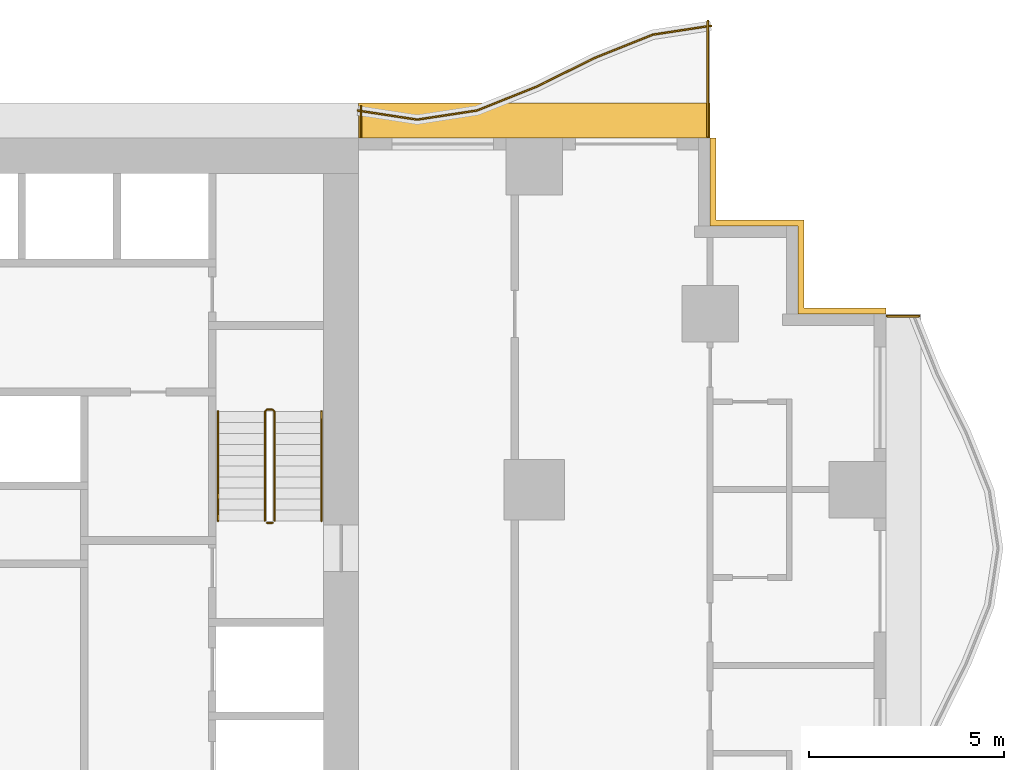
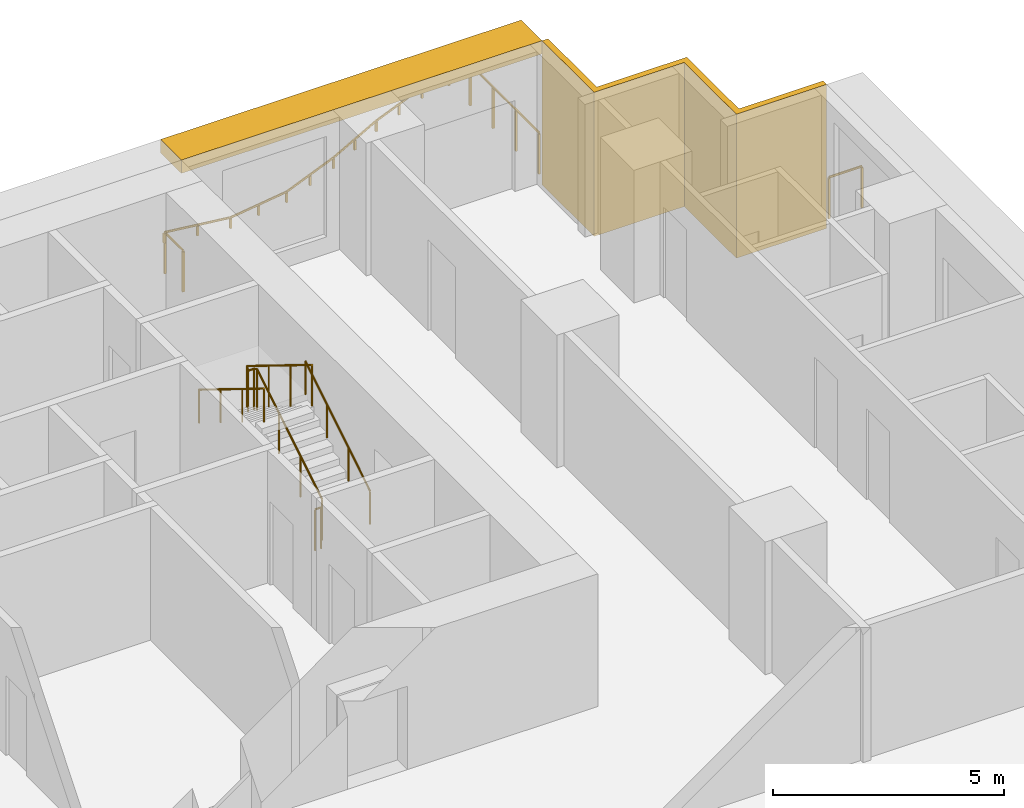
# One storey, part 14 of 14: 8 railings, 2 shading devices.
"""IFC4 building model written with IfcOpenShell, lengths in metres."""

from ifc_helpers import new_model, si_unit, direction, frame, origin, origin_2d, place, context, subcontext, project, spatial, polyline, rectangle, circle, outline, extrude, material, layer, layer_set, type_object, element, save


model = new_model("IFC4")

# Units and contexts
model_context = context("Model", 3, precision=1e-05, world=origin(), true_north=direction((0.0, 1.0)))
body_context = subcontext(model_context, "Body", "Model", "MODEL_VIEW")
ifc_project = project(units=[si_unit("LENGTHUNIT", "METRE"), si_unit("AREAUNIT", "SQUARE_METRE"), si_unit("VOLUMEUNIT", "CUBIC_METRE"), si_unit("PLANEANGLEUNIT", "RADIAN"), si_unit("MASSUNIT", "GRAM", prefix="KILO")], contexts=[model_context])

# Site, building, storey
site_placement = place(None, origin())
site = spatial("IfcSite", under=ifc_project, at=site_placement, CompositionType="ELEMENT")
building_placement = place(site_placement, origin())
building = spatial("IfcBuilding", under=site, at=building_placement, Name="Orbiselva Terraces", CompositionType="ELEMENT")
storey_placement = place(building_placement, frame((0.0, 0.0, 22.6)))
storey = spatial("IfcBuildingStorey", under=building, at=storey_placement, Name="L05", CompositionType="ELEMENT", Elevation=22.6)

# Railings
ifc_material_1 = material(Name="Stainless steel", Category="steel")
railing_type_1 = type_object("IfcRailingType", Name="CORE-GUARD-1100", PredefinedType="GUARDRAIL", material=ifc_material_1)
railing_1_placement = place(storey_placement, frame((11.35, 12.7, 0.172727)))
element("IfcRailing", 1, at=railing_1_placement, inside=storey, type_object=railing_type_1, Name="L05 S2 stair guard 1", PredefinedType="GUARDRAIL", context=body_context, shape_type="SweptSolid", body=[
    extrude(circle(Radius=0.024, at=origin_2d()), frame((0.0, 0.0, 1.081), z_axis=(0.0, 0.851088519012, 0.52502222125), x_axis=(-1.0, 0.0, 0.0)), (0.0, 0.0, 1.0), 3.289905),
    extrude(circle(Radius=0.024, at=origin_2d()), frame((0.0, 2.8, 2.808273), z_axis=(-0.707106781187, 0.707106781187, 0.0), x_axis=(-0.707106781187, -0.707106781187, 0.0)), (0.0, 0.0, 1.0), 0.070711),
    extrude(circle(Radius=0.024, at=origin_2d()), frame((-0.05, 2.85, 2.808273), z_axis=(-1.0, 0.0, 0.0), x_axis=(0.0, -1.0, 0.0)), (0.0, 0.0, 1.0), 0.15),
    extrude(circle(Radius=0.024, at=origin_2d()), frame((-0.2, 2.85, 2.808273), z_axis=(-0.267894925557, -0.267894925557, 0.925453736133), x_axis=(0.707106781187, -0.707106781187, 0.0)), (0.0, 0.0, 1.0), 0.18664),
    extrude(circle(Radius=0.024, at=origin_2d()), frame((-0.25, 2.8, 2.981), z_axis=(0.0, -0.851088519012, 0.52502222125), x_axis=(1.0, 0.0, 0.0)), (0.0, 0.0, 1.0), 3.289905),
    extrude(circle(Radius=0.021, at=origin_2d()), origin(), (0.0, 0.0, 1.0), 1.057),
    extrude(circle(Radius=0.021, at=origin_2d()), frame((0.0, 0.933333, 0.575758)), (0.0, 0.0, 1.0), 1.057),
    extrude(circle(Radius=0.021, at=origin_2d()), frame((0.0, 1.866667, 1.151515)), (0.0, 0.0, 1.0), 1.057),
    extrude(circle(Radius=0.021, at=origin_2d()), frame((0.0, 2.8, 1.727273)), (0.0, 0.0, 1.0), 1.057),
    extrude(circle(Radius=0.021, at=origin_2d()), frame((-0.05, 2.85, 1.727273)), (0.0, 0.0, 1.0), 1.057),
    extrude(circle(Radius=0.021, at=origin_2d()), frame((-0.2, 2.85, 1.727273)), (0.0, 0.0, 1.0), 1.057),
    extrude(circle(Radius=0.021, at=origin_2d()), frame((-0.25, 2.8, 1.9)), (0.0, 0.0, 1.0), 1.057),
    extrude(circle(Radius=0.021, at=origin_2d()), frame((-0.25, 1.866667, 2.475758)), (0.0, 0.0, 1.0), 1.057),
    extrude(circle(Radius=0.021, at=origin_2d()), frame((-0.25, 0.933333, 3.051515)), (0.0, 0.0, 1.0), 1.057),
    extrude(circle(Radius=0.021, at=origin_2d()), frame((-0.25, 0.0, 3.627273)), (0.0, 0.0, 1.0), 1.057),
])
railing_2_placement = place(storey_placement, frame((11.3, 12.65, 0.0)))
element("IfcRailing", 2, at=railing_2_placement, inside=storey, type_object=railing_type_1, Name="L05 S2 stair guard 2", PredefinedType="GUARDRAIL", context=body_context, shape_type="SweptSolid", body=[
    extrude(circle(Radius=0.024, at=origin_2d()), frame((0.0, 0.0, 1.081), z_axis=(-1.0, 0.0, 0.0), x_axis=(0.0, -1.0, 0.0)), (0.0, 0.0, 1.0), 0.15),
    extrude(circle(Radius=0.021, at=origin_2d()), origin(), (0.0, 0.0, 1.0), 1.057),
    extrude(circle(Radius=0.021, at=origin_2d()), frame((-0.15, 0.0, 0.0)), (0.0, 0.0, 1.0), 1.057),
])
railing_type_2 = type_object("IfcRailingType", Name="CORE-HANDRAIL-900", PredefinedType="HANDRAIL", material=ifc_material_1)
railing_3_placement = place(storey_placement, frame((12.55, 12.7, 0.172727)))
element("IfcRailing", 3, at=railing_3_placement, inside=storey, type_object=railing_type_2, Name="L05 S2 stair handrail 1", PredefinedType="HANDRAIL", context=body_context, shape_type="SweptSolid", body=[
    extrude(circle(Radius=0.024, at=origin_2d()), frame((0.0, 0.0, 0.876), z_axis=(0.0, 0.851088519012, 0.52502222125), x_axis=(-1.0, 0.0, 0.0)), (0.0, 0.0, 1.0), 3.289905),
    extrude(circle(Radius=0.021, at=origin_2d()), origin(), (0.0, 0.0, 1.0), 0.852),
    extrude(circle(Radius=0.021, at=origin_2d()), frame((0.0, 0.933333, 0.575758)), (0.0, 0.0, 1.0), 0.852),
    extrude(circle(Radius=0.021, at=origin_2d()), frame((0.0, 1.866667, 1.151515)), (0.0, 0.0, 1.0), 0.852),
    extrude(circle(Radius=0.021, at=origin_2d()), frame((0.0, 2.8, 1.727273)), (0.0, 0.0, 1.0), 0.852),
])
railing_4_placement = place(storey_placement, frame((9.9, 15.5, 2.072727)))
element("IfcRailing", 4, at=railing_4_placement, inside=storey, type_object=railing_type_2, Name="L05 S2 stair handrail 2", PredefinedType="HANDRAIL", context=body_context, shape_type="SweptSolid", body=[
    extrude(circle(Radius=0.024, at=origin_2d()), frame((0.0, 0.0, 0.876), z_axis=(0.0, -0.851088519012, 0.52502222125), x_axis=(1.0, 0.0, 0.0)), (0.0, 0.0, 1.0), 3.289905),
    extrude(circle(Radius=0.021, at=origin_2d()), origin(), (0.0, 0.0, 1.0), 0.852),
    extrude(circle(Radius=0.021, at=origin_2d()), frame((0.0, -0.933333, 0.575758)), (0.0, 0.0, 1.0), 0.852),
    extrude(circle(Radius=0.021, at=origin_2d()), frame((0.0, -1.866667, 1.151515)), (0.0, 0.0, 1.0), 0.852),
    extrude(circle(Radius=0.021, at=origin_2d()), frame((0.0, -2.8, 1.727273)), (0.0, 0.0, 1.0), 0.852),
])
ifc_material_2 = material(Name="Bonded two-ply safety glass balustrade, stainless steel posts", Category="steel")
railing_type_3 = type_object("IfcRailingType", Name="ENV-BALUSTRADE-1200", PredefinedType="BALUSTRADE", material=ifc_material_2)
railing_5_placement = place(storey_placement, frame((22.518879, 25.376434, 0.9)))
element("IfcRailing", 5, at=railing_5_placement, inside=storey, type_object=railing_type_3, Name="Balcony balustrade L05 NE", PredefinedType="BALUSTRADE", context=body_context, shape_type="SweptSolid", body=[
    extrude(outline(polyline([(0.028868, 0.0), (0.014434, 0.025), (-0.014434, 0.025), (-0.028868, 0.0), (-0.014434, -0.025), (0.014434, -0.025), (0.028868, 0.0)])), frame((0.0, 0.0, 0.275), z_axis=(-0.988528552748, -0.151034103443, 0.0), x_axis=(0.151034103443, -0.988528552748, 0.0)), (0.0, 0.0, 1.0), 1.503038),
    extrude(outline(polyline([(0.028868, 0.0), (0.014434, 0.025), (-0.014434, 0.025), (-0.028868, 0.0), (-0.014434, -0.025), (0.014434, -0.025), (0.028868, 0.0)])), frame((-1.485796, -0.22701, 0.275), z_axis=(-0.928476561272, -0.371391000387, 0.0), x_axis=(0.371391000387, -0.928476561272, 0.0)), (0.0, 0.0, 1.0), 1.596261),
    extrude(outline(polyline([(0.028868, 0.0), (0.014434, 0.025), (-0.014434, 0.025), (-0.028868, 0.0), (-0.014434, -0.025), (0.014434, -0.025), (0.028868, 0.0)])), frame((-2.967887, -0.819847, 0.275), z_axis=(-0.896416672454, -0.443212307306, 0.0), x_axis=(0.443212307306, -0.896416672454, 0.0)), (0.0, 0.0, 1.0), 1.673329),
    extrude(outline(polyline([(0.028868, 0.0), (0.014434, 0.025), (-0.014434, 0.025), (-0.028868, 0.0), (-0.014434, -0.025), (0.014434, -0.025), (0.028868, 0.0)])), frame((-4.467887, -1.561487, 0.275), z_axis=(-0.92847681744, -0.371390359967, 0.0), x_axis=(0.371390359967, -0.92847681744, 0.0)), (0.0, 0.0, 1.0), 1.634838),
    extrude(outline(polyline([(0.028868, 0.0), (0.014434, 0.025), (-0.014434, 0.025), (-0.028868, 0.0), (-0.014434, -0.025), (0.014434, -0.025), (0.028868, 0.0)])), frame((-5.985796, -2.16865, 0.275), z_axis=(-0.988528536275, -0.151034211256, 0.0), x_axis=(0.151034211256, -0.988528536275, 0.0)), (0.0, 0.0, 1.0), 1.550874),
    extrude(outline(polyline([(0.028868, 0.0), (0.014434, 0.025), (-0.014434, 0.025), (-0.028868, 0.0), (-0.014434, -0.025), (0.014434, -0.025), (0.028868, 0.0)])), frame((-7.518879, -2.402885, 0.275), z_axis=(-0.988528518286, 0.151034328999, 0.0), x_axis=(-0.151034328999, -0.988528518286, 0.0)), (0.0, 0.0, 1.0), 1.536505),
    extrude(rectangle(XDim=0.05, YDim=0.05, at=origin_2d()), origin(), (0.0, 0.0, 1.0), 0.25),
    extrude(rectangle(XDim=0.05, YDim=0.05, at=origin_2d()), frame((-0.742898, -0.113505, 0.0)), (0.0, 0.0, 1.0), 0.25),
    extrude(rectangle(XDim=0.05, YDim=0.05, at=origin_2d()), frame((-1.485796, -0.22701, 0.0)), (0.0, 0.0, 1.0), 0.25),
    extrude(rectangle(XDim=0.05, YDim=0.05, at=origin_2d()), frame((-2.226841, -0.523428, 0.0)), (0.0, 0.0, 1.0), 0.25),
    extrude(rectangle(XDim=0.05, YDim=0.05, at=origin_2d()), frame((-2.967887, -0.819847, 0.0)), (0.0, 0.0, 1.0), 0.25),
    extrude(rectangle(XDim=0.05, YDim=0.05, at=origin_2d()), frame((-3.717887, -1.190667, 0.0)), (0.0, 0.0, 1.0), 0.25),
    extrude(rectangle(XDim=0.05, YDim=0.05, at=origin_2d()), frame((-4.467887, -1.561487, 0.0)), (0.0, 0.0, 1.0), 0.25),
    extrude(rectangle(XDim=0.05, YDim=0.05, at=origin_2d()), frame((-5.226841, -1.865068, 0.0)), (0.0, 0.0, 1.0), 0.25),
    extrude(rectangle(XDim=0.05, YDim=0.05, at=origin_2d()), frame((-5.985796, -2.16865, 0.0)), (0.0, 0.0, 1.0), 0.25),
    extrude(rectangle(XDim=0.05, YDim=0.05, at=origin_2d()), frame((-6.752337, -2.285768, 0.0)), (0.0, 0.0, 1.0), 0.25),
    extrude(rectangle(XDim=0.05, YDim=0.05, at=origin_2d()), frame((-7.518879, -2.402885, 0.0)), (0.0, 0.0, 1.0), 0.25),
    extrude(rectangle(XDim=0.05, YDim=0.05, at=origin_2d()), frame((-8.278318, -2.286852, 0.0)), (0.0, 0.0, 1.0), 0.25),
    extrude(rectangle(XDim=0.05, YDim=0.05, at=origin_2d()), frame((-9.037758, -2.17082, 0.0)), (0.0, 0.0, 1.0), 0.25),
])
ifc_material_3 = material(Name="Stainless steel rail and posts", Category="steel")
railing_type_4 = type_object("IfcRailingType", Name="ENV-GUARD-1105", PredefinedType="BALUSTRADE", material=ifc_material_3)
railing_6_placement = place(storey_placement, frame((27.847212, 17.94, 0.0)))
element("IfcRailing", 6, at=railing_6_placement, inside=storey, type_object=railing_type_4, Name="Balcony end guard L05 E", PredefinedType="BALUSTRADE", context=body_context, shape_type="SweptSolid", body=[
    extrude(outline(polyline([(0.028868, 0.0), (0.014434, 0.025), (-0.014434, 0.025), (-0.028868, 0.0), (-0.014434, -0.025), (0.014434, -0.025), (0.028868, 0.0)])), frame((0.0, 0.0, 1.08), z_axis=(-1.0, 0.0, 0.0), x_axis=(0.0, -1.0, 0.0)), (0.0, 0.0, 1.0), 0.822212),
    extrude(rectangle(XDim=0.05, YDim=0.05, at=origin_2d()), origin(), (0.0, 0.0, 1.0), 1.055),
    extrude(rectangle(XDim=0.05, YDim=0.05, at=origin_2d()), frame((-0.822212, 0.0, 0.0)), (0.0, 0.0, 1.0), 1.055),
])
railing_7_placement = place(storey_placement, frame((22.44, 25.499621, 0.0)))
element("IfcRailing", 7, at=railing_7_placement, inside=storey, type_object=railing_type_4, Name="Balcony end guard L05 NE", PredefinedType="BALUSTRADE", context=body_context, shape_type="SweptSolid", body=[
    extrude(outline(polyline([(0.028868, 0.0), (0.014434, 0.025), (-0.014434, 0.025), (-0.028868, 0.0), (-0.014434, -0.025), (0.014434, -0.025), (0.028868, 0.0)])), frame((0.0, 0.0, 1.08), z_axis=(0.0, -1.0, 0.0), x_axis=(1.0, 0.0, 0.0)), (0.0, 0.0, 1.0), 2.974621),
    extrude(rectangle(XDim=0.05, YDim=0.05, at=origin_2d()), origin(), (0.0, 0.0, 1.0), 1.055),
    extrude(rectangle(XDim=0.05, YDim=0.05, at=origin_2d()), frame((0.0, -0.99154, 0.0)), (0.0, 0.0, 1.0), 1.055),
    extrude(rectangle(XDim=0.05, YDim=0.05, at=origin_2d()), frame((0.0, -1.983081, 0.0)), (0.0, 0.0, 1.0), 1.055),
    extrude(rectangle(XDim=0.05, YDim=0.05, at=origin_2d()), frame((0.0, -2.974621, 0.0)), (0.0, 0.0, 1.0), 1.055),
])
railing_8_placement = place(storey_placement, frame((13.56, 23.311761, 0.0)))
element("IfcRailing", 8, at=railing_8_placement, inside=storey, type_object=railing_type_4, Name="Balcony end guard L05 NE", PredefinedType="BALUSTRADE", context=body_context, shape_type="SweptSolid", body=[
    extrude(outline(polyline([(0.028868, 0.0), (0.014434, 0.025), (-0.014434, 0.025), (-0.028868, 0.0), (-0.014434, -0.025), (0.014434, -0.025), (0.028868, 0.0)])), frame((0.0, 0.0, 1.08), z_axis=(0.0, -1.0, 0.0), x_axis=(1.0, 0.0, 0.0)), (0.0, 0.0, 1.0), 0.786761),
    extrude(rectangle(XDim=0.05, YDim=0.05, at=origin_2d()), origin(), (0.0, 0.0, 1.0), 1.055),
    extrude(rectangle(XDim=0.05, YDim=0.05, at=origin_2d()), frame((0.0, -0.786761, 0.0)), (0.0, 0.0, 1.0), 1.055),
])

# Shading devices
ifc_material_4 = material(Name="Terracotta louvre screen", Category="masonry")
ifc_layer_1 = layer(ifc_material_4, 0.15)
ifc_layer_set_1 = layer_set([ifc_layer_1], Name="Terracotta louvre screen")
shading_device_type_1 = type_object("IfcShadingDeviceType", Name="ENV-SCREEN-150", PredefinedType="USERDEFINED", material=ifc_layer_set_1)
shading_device_1_placement = place(storey_placement, frame((0.0, 0.0, -0.3)))
element("IfcShadingDevice", 9, at=shading_device_1_placement, inside=storey, type_object=shading_device_type_1, Name="Louvre screen L05 NE", ObjectType="SCREEN", PredefinedType="USERDEFINED", context=body_context, shape_type="SweptSolid", body=[
    extrude(outline(polyline([(27.0, 18.15), (24.9, 18.15), (24.9, 20.4), (22.65, 20.4), (22.65, 22.5), (22.5, 22.5), (22.5, 20.25), (24.75, 20.25), (24.75, 18.0), (27.0, 18.0), (27.0, 18.15)])), origin(), (0.0, 0.0, 1.0), 3.8),
])
ifc_material_5 = material(Name="Terracotta baguette sunshade", Category="masonry")
ifc_layer_2 = layer(ifc_material_5, 0.35)
ifc_layer_set_2 = layer_set([ifc_layer_2], Name="Terracotta baguette sunshade")
shading_device_type_2 = type_object("IfcShadingDeviceType", Name="ENV-SUNSHADE-900x350", PredefinedType="USERDEFINED", material=ifc_layer_set_2)
shading_device_2_placement = place(storey_placement, frame((0.0, 0.0, 3.15)))
element("IfcShadingDevice", 10, at=shading_device_2_placement, inside=storey, type_object=shading_device_type_2, Name="Sunshade band L05 NE", ObjectType="SUNSHADE", PredefinedType="USERDEFINED", context=body_context, shape_type="SweptSolid", body=[
    extrude(outline(polyline([(22.5, 23.4), (13.5, 23.4), (13.5, 22.5), (22.5, 22.5), (22.5, 23.4)])), origin(), (0.0, 0.0, 1.0), 0.35),
])

save(model, "model.ifc")
